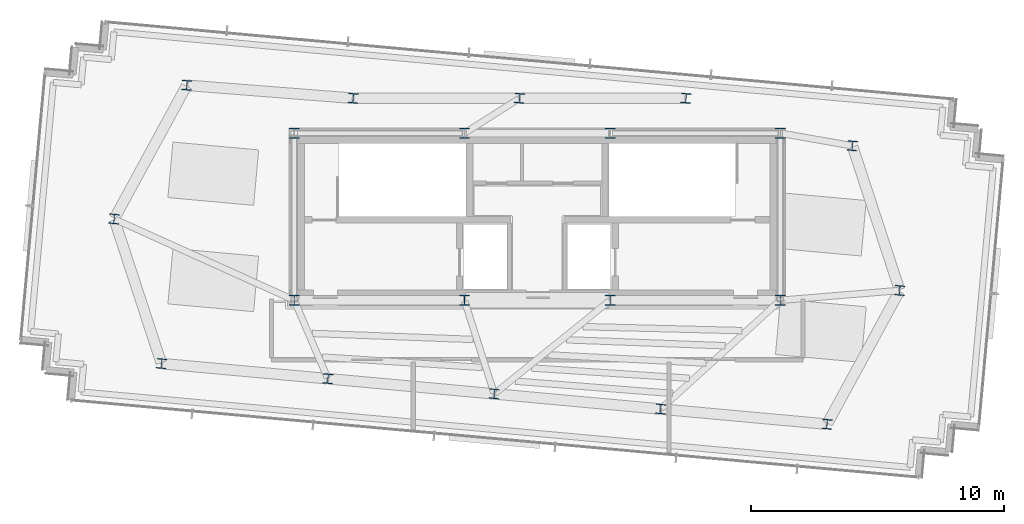
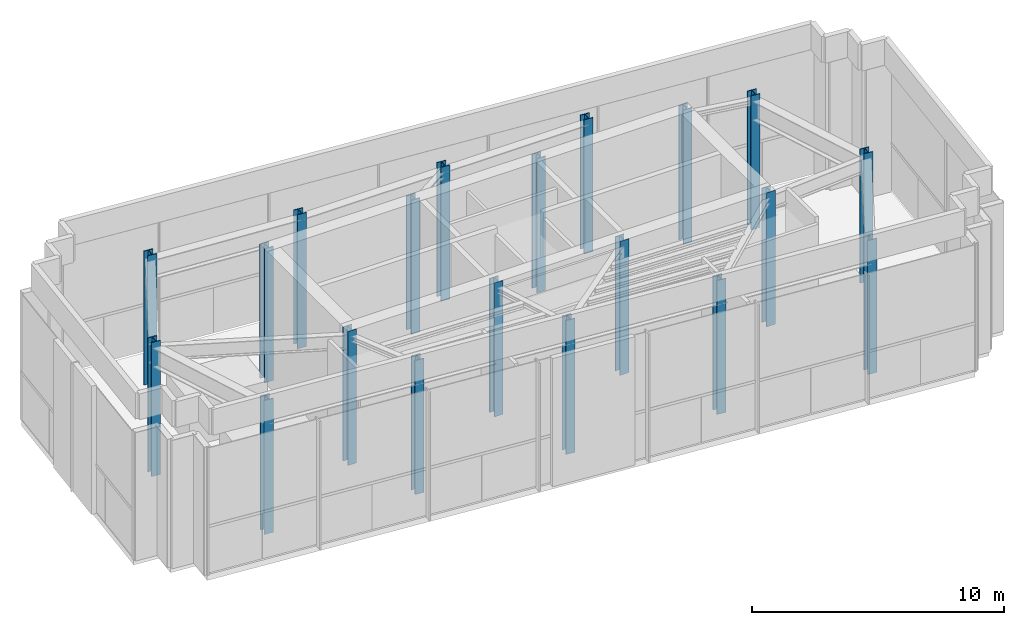
# One storey, part 1 of 18: 20 columns.
"""IFC4 building model written with IfcOpenShell, lengths in metres."""

from ifc_helpers import new_model, si_unit, direction, frame, origin, origin_2d, place, context, subcontext, project, spatial, i_section, extrude, source, transform, mapped, material, material_profile, profile_set, type_object, type_shapes, element, save


model = new_model("IFC4")

# Units and contexts
model_context = context("Model", 3, precision=1e-05, world=origin(), true_north=direction((0.0, 1.0)))
body_context = subcontext(model_context, "Body", "Model", "MODEL_VIEW")
ifc_project = project(units=[si_unit("LENGTHUNIT", "METRE"), si_unit("AREAUNIT", "SQUARE_METRE"), si_unit("VOLUMEUNIT", "CUBIC_METRE"), si_unit("PLANEANGLEUNIT", "RADIAN"), si_unit("MASSUNIT", "GRAM", prefix="KILO")], contexts=[model_context])

# Site, building, storey
site_placement = place(None, origin())
site = spatial("IfcSite", under=ifc_project, at=site_placement, CompositionType="ELEMENT")
building_placement = place(site_placement, origin())
building = spatial("IfcBuilding", under=site, at=building_placement, Name="Astriad Promenade Condominiums", CompositionType="ELEMENT")
storey_placement = place(building_placement, frame((0.0, 0.0, 290.300048828125)))
storey = spatial("IfcBuildingStorey", under=building, at=storey_placement, Name="L80", CompositionType="ELEMENT", Elevation=290.300048828125)

# Columns
ifc_material = material(Name="Steel ASTM A992 Grade 50", Category="steel")
ifc_material_profile_1 = material_profile(ifc_material, i_section(OverallWidth=0.403564453125, OverallDepth=0.407470703125, WebThickness=0.027099609375, FlangeThickness=0.043701171875, FilletRadius=0.017822265625, at=origin_2d()), Name="W14X233")
ifc_profile_set_1 = profile_set([ifc_material_profile_1], Name="Steel ASTM A992 Grade 50")
column_type_1 = type_object("IfcColumnType", Name="STEEL CORE PILASTER W14X233", PredefinedType="PILASTER", material=ifc_profile_set_1)
shared_shape_1 = source(origin(), body_context, "Body", "SweptSolid", [
    extrude(i_section(OverallWidth=0.403564453125, OverallDepth=0.407470703125, WebThickness=0.027099609375, FlangeThickness=0.043701171875, FilletRadius=0.017822265625, at=origin_2d()), origin(), (0.0, 0.0, 1.0), 6.49609375),
])
type_shapes(column_type_1, [shared_shape_1])
for number, where, z_axis, x_axis, name in (
    (1, (26.39990234375, 17.39990234375, 0.001953125), (0.0, 0.0, 1.0), (1.0, 0.0, 0.0), "Core Pilaster Column CP1 (L80)"),
    (2, (33.1201171875, 17.39990234375, 0.001953125), (0.0, 0.0, 1.0), (1.0, 0.0, 0.0), "Core Pilaster Column CP2 (L80)"),
    (3, (38.8798828125, 17.39990234375, 0.001953125), (0.0, 0.0, 1.0), (1.0, 0.0, 0.0), "Core Pilaster Column CP3 (L80)"),
    (4, (45.60009765625, 17.39990234375, 0.001953125), (0.0, 0.0, 1.0), (1.0, 0.0, 0.0), "Core Pilaster Column CP4 (L80)"),
    (5, (26.39990234375, 24.0, 0.001953125), (0.0, 0.0, 1.0), (1.0, 0.0, 0.0), "Core Pilaster Column CP5 (L80)"),
    (6, (33.1201171875, 24.0, 0.001953125), (0.0, 0.0, 1.0), (1.0, 0.0, 0.0), "Core Pilaster Column CP6 (L80)"),
    (7, (38.8798828125, 24.0, 0.001953125), (0.0, 0.0, 1.0), (1.0, 0.0, 0.0), "Core Pilaster Column CP7 (L80)"),
    (8, (45.60009765625, 24.0, 0.001953125), (0.0, 0.0, 1.0), (1.0, 0.0, 0.0), "Core Pilaster Column CP8 (L80)"),
):
    element("IfcColumn", number, at=place(storey_placement, frame(where, z_axis=z_axis, x_axis=x_axis)), inside=storey, type_object=column_type_1, Name=name, PredefinedType="PILASTER", context=body_context, shape_type="MappedRepresentation", body=[
        mapped(shared_shape_1, transform((0.0, 0.0, 0.0), scale=1.0)),
    ])
ifc_material_profile_2 = material_profile(ifc_material, i_section(OverallWidth=0.39892578125, OverallDepth=0.393310546875, WebThickness=0.022705078125, FlangeThickness=0.03662109375, FilletRadius=0.017822265625, at=origin_2d()), Name="W14X193")
ifc_profile_set_2 = profile_set([ifc_material_profile_2], Name="Steel ASTM A992 Grade 50")
column_type_2 = type_object("IfcColumnType", Name="STEEL CROWN RING COLUMN W14X193", PredefinedType="COLUMN", material=ifc_profile_set_2)
shared_shape_2 = source(origin(), body_context, "Body", "SweptSolid", [
    extrude(i_section(OverallWidth=0.39892578125, OverallDepth=0.393310546875, WebThickness=0.022705078125, FlangeThickness=0.03662109375, FilletRadius=0.017822265625, at=origin_2d()), origin(), (0.0, 0.0, 1.0), 6.49609375),
])
type_shapes(column_type_2, [shared_shape_2])
for number, where, z_axis, x_axis, name in (
    (9, (21.154052734375, 14.899169921875, 0.001953125), (0.0, 0.0, 1.0), (0.995884398616, -0.090632580198, 0.0), "Perimeter Column PC01 (L80)"),
    (10, (27.726806640625, 14.30078125, 0.001953125), (0.0, 0.0, 1.0), (0.995884398616, -0.090632580198, 0.0), "Perimeter Column PC02 (L80)"),
    (11, (34.2998046875, 13.70263671875, 0.001953125), (0.0, 0.0, 1.0), (0.995884398616, -0.090632580198, 0.0), "Perimeter Column PC03 (L80)"),
    (12, (40.87255859375, 13.1044921875, 0.001953125), (0.0, 0.0, 1.0), (0.995884398616, -0.090632580198, 0.0), "Perimeter Column PC04 (L80)"),
    (13, (47.4453125, 12.50634765625, 0.001953125), (0.0, 0.0, 1.0), (0.995884398616, -0.090632580198, 0.0), "Perimeter Column PC05 (L80)"),
    (14, (22.154541015625, 25.8935546875, 0.001953125), (0.0, 0.0, 1.0), (0.995884398616, -0.090632580198, 0.0), "Perimeter Column PC06 (L80)"),
    (15, (28.7275390625, 25.3798828125, 0.001953125), (0.0, 0.0, 1.0), (0.995884398616, -0.090632580198, 0.0), "Perimeter Column PC07 (L80)"),
    (16, (35.30029296875, 25.3798828125, 0.001953125), (0.0, 0.0, 1.0), (0.995884398616, -0.090632580198, 0.0), "Perimeter Column PC08 (L80)"),
    (17, (41.873046875, 25.3798828125, 0.001953125), (0.0, 0.0, 1.0), (0.995884398616, -0.090632580198, 0.0), "Perimeter Column PC09 (L80)"),
    (18, (48.446044921875, 23.5009765625, 0.001953125), (0.0, 0.0, 1.0), (0.995884398616, -0.090632580198, 0.0), "Perimeter Column PC10 (L80)"),
    (19, (19.2841796875, 20.612060546875, 0.001953125), (0.0, 0.0, 1.0), (0.995884398616, -0.090632580198, 0.0), "Perimeter Column PC11 (L80)"),
    (20, (50.31591796875, 17.787841796875, 0.001953125), (0.0, 0.0, 1.0), (0.995884398616, -0.090632580198, 0.0), "Perimeter Column PC12 (L80)"),
):
    element("IfcColumn", number, at=place(storey_placement, frame(where, z_axis=z_axis, x_axis=x_axis)), inside=storey, type_object=column_type_2, Name=name, PredefinedType="COLUMN", context=body_context, shape_type="MappedRepresentation", body=[
        mapped(shared_shape_2, transform((0.0, 0.0, 0.0), scale=1.0)),
    ])

save(model, "model.ifc")
